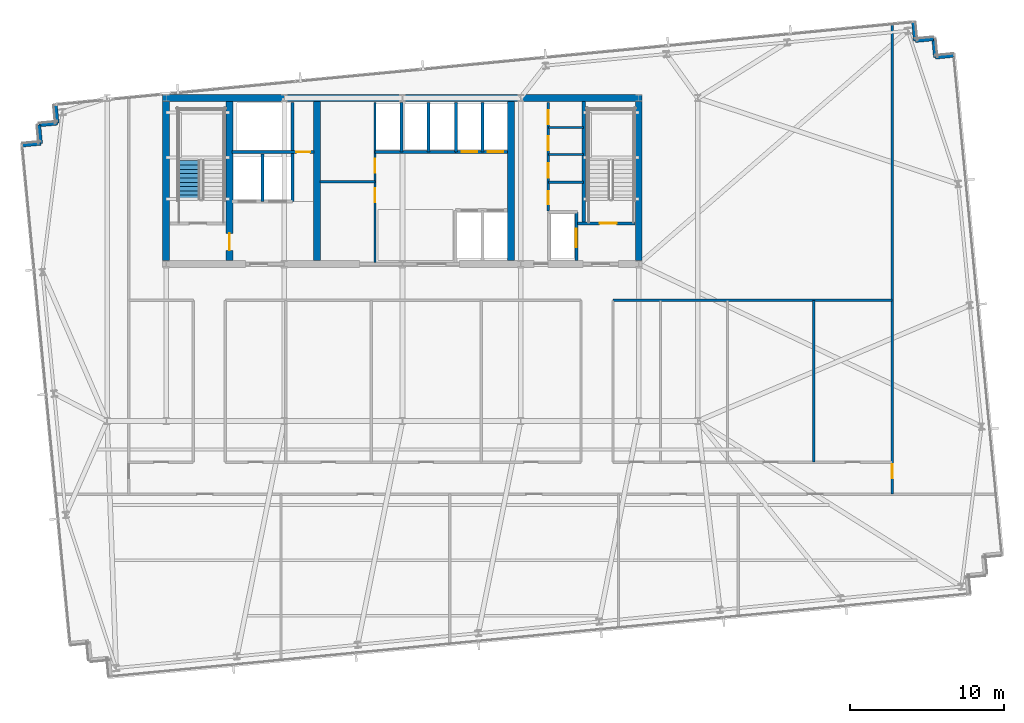
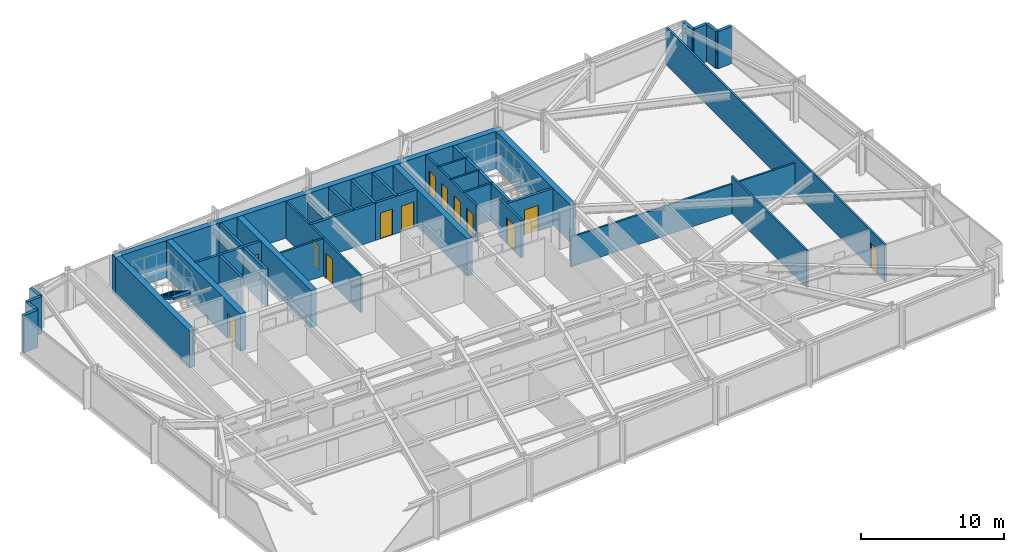
# One storey, part 26 of 33: 35 walls, 13 doors, 1 stair flight, 13 openings, 1 element without a shape of its own.
"""IFC4 building model written with IfcOpenShell, lengths in metres."""

import ifcopenshell
import ifcopenshell.guid

model = None  # the IFC model being written
_history = None  # IfcOwnerHistory: only IFC2X3 demands one
_inside = {}  # id of a spatial element -> (the spatial element, [elements in it])
_under = {}  # id of a project, library or spatial element -> (it, [spatial elements below it])
_declared = {}  # id of a project -> (the project, [libraries it declares])
_typed = {}  # id of a type object -> (the type object, [elements of that type])
_made_of = {}  # id of a material, layer set ... -> (it, [elements and type objects made of it])


def new_model(schema):
    """Start an empty IFC model of exactly this schema.

    Asked for "IFC4X3", IfcOpenShell would pick the latest addendum, in which some entities
    have other attributes; the version numbers below select the first issue.
    IFC2X3 requires an IfcOwnerHistory on every rooted entity: one is made here for all.
    """
    global model, _history
    if schema == "IFC4X3":
        model = ifcopenshell.file(schema_version=(4, 3, 0, 0))
    else:
        model = ifcopenshell.file(schema=schema)
    _inside.clear()
    _under.clear()
    _declared.clear()
    _typed.clear()
    _made_of.clear()
    _history = None
    if model.schema == "IFC2X3":
        org = make("IfcOrganization", Name="unknown")
        user = make(
            "IfcPersonAndOrganization",
            ThePerson=make("IfcPerson", FamilyName="unknown"),
            TheOrganization=org,
        )
        app = make(
            "IfcApplication",
            ApplicationDeveloper=org,
            Version="unknown",
            ApplicationFullName="unknown",
            ApplicationIdentifier="unknown",
        )
        _history = make(
            "IfcOwnerHistory",
            OwningUser=user,
            OwningApplication=app,
            ChangeAction="ADDED",
            CreationDate=0,
        )
    return model


def make(cls, **values):
    """One entity of the class cls with the attributes given. An attribute that is None is left unset."""
    return model.create_entity(
        cls, **{name: value for name, value in values.items() if value is not None}
    )


def rooted(cls, **values):
    """An entity with a GlobalId (a new one), such as an element, a storey or a relation."""
    return make(cls, GlobalId=ifcopenshell.guid.new(), OwnerHistory=_history, **values)


def si_unit(unit_type, name, prefix=None):
    """IfcSIUnit, for example si_unit("LENGTHUNIT", "METRE", prefix="MILLI")."""
    return make("IfcSIUnit", UnitType=unit_type, Prefix=prefix, Name=name)


def assignment(units):
    """IfcUnitAssignment: the units of a project."""
    return None if units is None else make("IfcUnitAssignment", Units=units)


def point(xyz):
    """IfcCartesianPoint."""
    return None if xyz is None else make("IfcCartesianPoint", Coordinates=xyz)


def direction(xyz):
    """IfcDirection."""
    return None if xyz is None else make("IfcDirection", DirectionRatios=xyz)


def frame(location, z_axis=None, x_axis=None):
    """IfcAxis2Placement3D, a coordinate frame: its origin and axes. An axis left out is left unset."""
    return make(
        "IfcAxis2Placement3D",
        Location=point(location),
        Axis=direction(z_axis),
        RefDirection=direction(x_axis),
    )


def frame_2d(location, x_axis=None):
    """IfcAxis2Placement2D, a coordinate frame in the plane: its origin and x axis."""
    return make(
        "IfcAxis2Placement2D", Location=point(location), RefDirection=direction(x_axis)
    )


def origin():
    """The frame at (0, 0, 0) with its axes left unset."""
    return frame((0.0, 0.0, 0.0))


def place(relative_to, where):
    """IfcLocalPlacement: puts the frame where relative to a parent placement (None: the world)."""
    return make(
        "IfcLocalPlacement", PlacementRelTo=relative_to, RelativePlacement=where
    )


def context(
    kind, dimensions, precision=None, world=None, true_north=None, identifier=None
):
    """IfcGeometricRepresentationContext, for example the 3D "Model" context."""
    return make(
        "IfcGeometricRepresentationContext",
        ContextIdentifier=identifier,
        ContextType=kind,
        CoordinateSpaceDimension=dimensions,
        Precision=precision,
        WorldCoordinateSystem=world,
        TrueNorth=true_north,
    )


def subcontext(parent, identifier, kind, view, scale=None):
    """IfcGeometricRepresentationSubContext, for example "Body" below "Model"."""
    return make(
        "IfcGeometricRepresentationSubContext",
        ContextIdentifier=identifier,
        ContextType=kind,
        ParentContext=parent,
        TargetScale=scale,
        TargetView=view,
    )


def project(units=None, contexts=None):
    """IfcProject with its units and contexts."""
    return rooted(
        "IfcProject",
        Name="project",
        RepresentationContexts=contexts,
        UnitsInContext=assignment(units),
    )


def spatial(cls, under=None, at=None, **own):
    """A site, building, storey or space (cls), placed at a placement, below another one or the project."""
    s = rooted(cls, ObjectPlacement=at, **own)
    if under is not None:
        _under.setdefault(under.id(), (under, []))[1].append(s)
    return s


def polyline(points):
    """IfcPolyline through the points."""
    return make("IfcPolyline", Points=[point(p) for p in points])


def profile(cls, at=None, kind="AREA", **sizes):
    """A parametric profile (cls). Its sizes go by their IFC names, for example OverallWidth=200.0."""
    return make(cls, ProfileType=kind, Position=at, **sizes)


def rectangle(**sizes):
    """IfcRectangleProfileDef."""
    return profile("IfcRectangleProfileDef", **sizes)


def outline(outer, holes=None, kind="AREA"):
    """IfcArbitraryClosedProfileDef: a profile drawn as a closed curve; with holes, ...WithVoids."""
    if holes is None:
        return make("IfcArbitraryClosedProfileDef", ProfileType=kind, OuterCurve=outer)
    return make(
        "IfcArbitraryProfileDefWithVoids",
        ProfileType=kind,
        OuterCurve=outer,
        InnerCurves=holes,
    )


def extrude(swept, where, along, depth):
    """IfcExtrudedAreaSolid: the profile swept, set in the frame where, extruded along a direction by depth."""
    return make(
        "IfcExtrudedAreaSolid",
        SweptArea=swept,
        Position=where,
        ExtrudedDirection=direction(along),
        Depth=depth,
    )


def shape(context_of_items, identifier, shape_type, items):
    """IfcShapeRepresentation: the items that make up one representation, for example the "Body"."""
    return make(
        "IfcShapeRepresentation",
        ContextOfItems=context_of_items,
        RepresentationIdentifier=identifier,
        RepresentationType=shape_type,
        Items=items,
    )


def material(Name=None, Category=None):
    """IfcMaterial."""
    return make("IfcMaterial", Name=Name, Category=Category)


def layer(
    of_material, thickness, ventilated=None, Name=None, Category=None, Priority=None
):
    """IfcMaterialLayer: one layer of a wall or slab, of a material (None: an air gap)."""
    return make(
        "IfcMaterialLayer",
        Material=of_material,
        LayerThickness=thickness,
        IsVentilated=ventilated,
        Name=Name,
        Category=Category,
        Priority=Priority,
    )


def layer_set(layers, Name=None):
    """IfcMaterialLayerSet."""
    return make("IfcMaterialLayerSet", MaterialLayers=layers, LayerSetName=Name)


def made_of(thing, what):
    """Note that an element or type object is made of a material, layer set ...; save() writes the relation."""
    if what is not None:
        _made_of.setdefault(what.id(), (what, []))[1].append(thing)
    return thing


def type_object(cls, material=None, **own):
    """A type object (cls), such as IfcWallType, which elements share."""
    return made_of(rooted(cls, **own), material)


def element(
    cls,
    number,
    at=None,
    inside=None,
    cuts=None,
    type_object=None,
    material=None,
    context=None,
    identifier="Body",
    shape_type=None,
    held_by="IfcProductDefinitionShape",
    body=None,
    shapes=None,
    **own,
):
    """One element of the class cls, such as IfcWall. Its Tag is "e" and its number.

    at: its placement. inside: the storey or other place that contains it. cuts: it is an
    opening in that element (IfcRelVoidsElement). A single representation is given by context,
    identifier, shape_type and body (its items); several are given by shapes. held_by: the class
    of the entity that holds the representations. save() writes the other relations.
    """
    e = rooted(cls, Tag="e%d" % number, ObjectPlacement=at, **own)
    if body is not None:
        shapes = [shape(context, identifier, shape_type, body)]
    if shapes is not None:
        e.Representation = make(held_by, Representations=shapes)
    if inside is not None:
        _inside.setdefault(inside.id(), (inside, []))[1].append(e)
    if cuts is not None:
        rooted(
            "IfcRelVoidsElement", RelatingBuildingElement=cuts, RelatedOpeningElement=e
        )
    if type_object is not None:
        _typed.setdefault(type_object.id(), (type_object, []))[1].append(e)
    return made_of(e, material)


def fill(opening, filler):
    """IfcRelFillsElement: the door or window that sits in an opening."""
    return rooted(
        "IfcRelFillsElement",
        RelatingOpeningElement=opening,
        RelatedBuildingElement=filler,
    )


def aggregate(whole, parts):
    """IfcRelAggregates: a whole, such as a stair, and the parts it consists of."""
    return rooted("IfcRelAggregates", RelatingObject=whole, RelatedObjects=parts)


def save(model, path):
    """Write the relations noted so far, then the file.

    IfcRelAggregates (storeys below a building ...), IfcRelContainedInSpatialStructure (elements
    in a storey), IfcRelDefinesByType, IfcRelAssociatesMaterial and IfcRelDeclares: one each for
    every whole, place, type object, material and project.
    """
    for whole, parts in _under.values():
        aggregate(whole, parts)
    for where, things in _inside.values():
        rooted(
            "IfcRelContainedInSpatialStructure",
            RelatedElements=things,
            RelatingStructure=where,
        )
    for kind, things in _typed.values():
        rooted("IfcRelDefinesByType", RelatedObjects=things, RelatingType=kind)
    for what, things in _made_of.values():
        rooted("IfcRelAssociatesMaterial", RelatedObjects=things, RelatingMaterial=what)
    for by, libraries in _declared.values():
        rooted("IfcRelDeclares", RelatingContext=by, RelatedDefinitions=libraries)
    model.write(path)


model = new_model("IFC4")

# Units and contexts
model_context = context("Model", 3, precision=1e-05, world=origin(), true_north=direction((0.0, 1.0)))
body_context = subcontext(model_context, "Body", "Model", "MODEL_VIEW")
ifc_project = project(units=[si_unit("LENGTHUNIT", "METRE"), si_unit("AREAUNIT", "SQUARE_METRE"), si_unit("VOLUMEUNIT", "CUBIC_METRE"), si_unit("PLANEANGLEUNIT", "RADIAN"), si_unit("MASSUNIT", "GRAM", prefix="KILO")], contexts=[model_context])

# Site, building, storey
site_placement = place(None, origin())
site = spatial("IfcSite", under=ifc_project, at=site_placement, CompositionType="ELEMENT")
building_placement = place(site_placement, origin())
building = spatial("IfcBuilding", under=site, at=building_placement, Name="Yelkora Congress Tower", CompositionType="ELEMENT")
storey_placement = place(building_placement, frame((0.0, 0.0, 123.699951171875)))
storey = spatial("IfcBuildingStorey", under=building, at=storey_placement, Name="L33", CompositionType="ELEMENT", Elevation=123.699951171875)

# Walls
ifc_material_1 = material(Name="Concrete C50/60", Category="concrete")
ifc_layer_1 = layer(ifc_material_1, 0.219970703125)
ifc_layer_set_1 = layer_set([ifc_layer_1], Name="Concrete C50/60")
wall_type_1 = type_object("IfcWallType", Name="WALL-CORE-INT-220", PredefinedType="SHEAR", material=ifc_layer_set_1)
wall_1_placement = place(storey_placement, frame((50.179931640625, 38.050048828125, 0.0), z_axis=(0.0, 0.0, 1.0), x_axis=(0.0, 1.0, 0.0)))
element("IfcWall", 1, at=wall_1_placement, inside=storey, type_object=wall_type_1, Name="L33 ST02 West Stair Shear Wall", PredefinedType="SHEAR", context=body_context, shape_type="SweptSolid", body=[
    extrude(rectangle(XDim=7.925048828125, YDim=0.219970703125, at=frame_2d((3.96240234375, 0.0))), origin(), (0.0, 0.0, 1.0), 3.179931640625),
])
ifc_material_2 = material(Name="Concrete C60/75", Category="concrete")
ifc_layer_2 = layer(ifc_material_2, 0.449951171875)
ifc_layer_set_2 = layer_set([ifc_layer_2], Name="Concrete C60/75")
wall_type_2 = type_object("IfcWallType", Name="WALL-CORE-INT-450", PredefinedType="SHEAR", material=ifc_layer_set_2)
wall_2_placement = place(storey_placement, frame((22.81494140625, 46.199951171875, 0.0), z_axis=(0.0, 0.0, 1.0), x_axis=(1.0, 0.0, 0.0)))
element("IfcWall", 2, at=wall_2_placement, inside=storey, type_object=wall_type_2, Name="L33 Rear Core North Shear Wall", PredefinedType="SHEAR", context=body_context, shape_type="SweptSolid", body=[
    extrude(rectangle(XDim=31.170166015625, YDim=0.449951171875, at=frame_2d((15.5849609375, 0.0))), origin(), (0.0, 0.0, 1.0), 3.179931640625),
])
wall_3_placement = place(storey_placement, frame((23.0400390625, 35.625, 0.0), z_axis=(0.0, 0.0, 1.0), x_axis=(0.0, 1.0, 0.0)))
element("IfcWall", 3, at=wall_3_placement, inside=storey, type_object=wall_type_2, Name="L33 Rear Core Cross Shear Wall W", PredefinedType="SHEAR", context=body_context, shape_type="SweptSolid", body=[
    extrude(rectangle(XDim=10.35009765625, YDim=0.449951171875, at=frame_2d((5.175048828125, 0.0))), origin(), (0.0, 0.0, 1.0), 3.179931640625),
])

# Wall, opening, door
wall_4_placement = place(storey_placement, frame((27.14990234375, 35.625, 0.0), z_axis=(0.0, 0.0, 1.0), x_axis=(0.0, 1.0, 0.0)))
wall_4 = element("IfcWall", 4, at=wall_4_placement, inside=storey, type_object=wall_type_2, Name="L33 Rear Core Cross Shear Wall C1", PredefinedType="SHEAR", context=body_context, shape_type="SweptSolid", body=[
    extrude(rectangle(XDim=10.35009765625, YDim=0.449951171875, at=frame_2d((5.175048828125, 0.0))), origin(), (0.0, 0.0, 1.0), 3.179931640625),
])
opening_1_placement = place(wall_4_placement, frame((0.675048828125, 0.0, 0.0)))
opening_1 = element("IfcOpeningElement", 5, at=opening_1_placement, cuts=wall_4, Name="Opening DR-110F9", PredefinedType="OPENING", context=body_context, shape_type="SweptSolid", body=[
    extrude(rectangle(XDim=1.10009765625, YDim=2.14990234375, at=frame_2d((0.550048828125, 1.074951171875))), frame((0.0, 0.23486328125, 0.0), z_axis=(0.0, -1.0, 0.0), x_axis=(1.0, 0.0, 0.0)), (0.0, 0.0, 1.0), 0.469970703125),
])
ifc_material_3 = material(Name="Galvanised steel fire door leaf", Category="steel")
door_type_1 = type_object("IfcDoorType", Name="DOOR-FD90-1100", OperationType="NOTDEFINED", PredefinedType="DOOR", material=ifc_material_3)
door_1_placement = place(opening_1_placement, origin())
door_1 = element("IfcDoor", 6, at=door_1_placement, inside=storey, type_object=door_type_1, Name="L33 Firefighting Stair Transfer Door", OperationType="SINGLE_SWING_LEFT", OverallHeight=2.14990234375, OverallWidth=1.10009765625, PredefinedType="DOOR", context=body_context, shape_type="SweptSolid", body=[
    extrude(rectangle(XDim=1.10009765625, YDim=2.14990234375, at=frame_2d((0.550048828125, 1.074951171875))), frame((0.0, 0.02490234375, 0.0), z_axis=(0.0, -1.0, 0.0), x_axis=(1.0, 0.0, 0.0)), (0.0, 0.0, 1.0), 0.050048828125),
])
fill(opening_1, door_1)

# Walls
for number, where, z_axis, x_axis, name in (
    (7, (32.85009765625, 35.625, 0.0), (0.0, 0.0, 1.0), (0.0, 1.0, 0.0), "L33 Rear Core Cross Shear Wall C2"),
    (8, (45.449951171875, 35.625, 0.0), (0.0, 0.0, 1.0), (0.0, 1.0, 0.0), "L33 Rear Core Cross Shear Wall C3"),
    (9, (53.760009765625, 35.625, 0.0), (0.0, 0.0, 1.0), (0.0, 1.0, 0.0), "L33 Rear Core Cross Shear Wall E"),
):
    element("IfcWall", number, at=place(storey_placement, frame(where, z_axis=z_axis, x_axis=x_axis)), inside=storey, type_object=wall_type_2, Name=name, PredefinedType="SHEAR", context=body_context, shape_type="SweptSolid", body=[
        extrude(rectangle(XDim=10.35009765625, YDim=0.449951171875, at=frame_2d((5.175048828125, 0.0))), origin(), (0.0, 0.0, 1.0), 3.179931640625),
    ])
ifc_material_4 = material(Name="Concrete C40/50", Category="concrete")
ifc_layer_3 = layer(ifc_material_4, 0.239990234375)
ifc_layer_set_3 = layer_set([ifc_layer_3], Name="Concrete C40/50")
wall_type_3 = type_object("IfcWallType", Name="WALL-EXT-LIMESTONE-240", PredefinedType="SOLIDWALL", material=ifc_layer_set_3)
for number, where, z_axis, x_axis, name in (
    (10, (13.69091796875, 43.126708984375, 0.0), (0.0, 0.0, 1.0), (0.995398960025, 0.095817067274, 0.0), "L33 Serrated Corner Limestone Pier 6"),
    (11, (14.885498046875, 43.24169921875, 0.0), (0.0, 0.0, 1.0), (-0.095817067274, 0.995398960025, 0.0), "L33 Serrated Corner Limestone Pier 7"),
):
    element("IfcWall", number, at=place(storey_placement, frame(where, z_axis=z_axis, x_axis=x_axis)), inside=storey, type_object=wall_type_3, Name=name, PredefinedType="SOLIDWALL", context=body_context, shape_type="SweptSolid", body=[
        extrude(rectangle(XDim=1.2001953125, YDim=0.239990234375, at=frame_2d((0.60009765625, 0.0))), origin(), (0.0, 0.0, 1.0), 3.179931640625),
    ])
for number, where, z_axis, x_axis, name in (
    (12, (14.7705078125, 44.436279296875, 0.0), (0.0, 0.0, 1.0), (0.995397091755, 0.095836473879, 0.0), "L33 Serrated Corner Limestone Pier 8"),
    (13, (15.96484375, 44.55126953125, 0.0), (0.0, 0.0, 1.0), (-0.095836473879, 0.995397091755, 0.0), "L33 Serrated Corner Limestone Pier 9"),
):
    element("IfcWall", number, at=place(storey_placement, frame(where, z_axis=z_axis, x_axis=x_axis)), inside=storey, type_object=wall_type_3, Name=name, PredefinedType="SOLIDWALL", context=body_context, shape_type="SweptSolid", body=[
        extrude(rectangle(XDim=1.199951171875, YDim=0.239990234375, at=frame_2d((0.60009765625, 0.0))), origin(), (0.0, 0.0, 1.0), 3.179931640625),
    ])
for number, where, z_axis, x_axis, name in (
    (14, (71.61181640625, 51.114990234375, 0.0), (0.0, 0.0, 1.0), (0.095817067274, -0.995398960025, 0.0), "L33 Serrated Corner Limestone Pier 11"),
    (15, (71.726806640625, 49.92041015625, 0.0), (0.0, 0.0, 1.0), (0.995398960025, 0.095817067274, 0.0), "L33 Serrated Corner Limestone Pier 12"),
    (16, (72.92138671875, 50.035400390625, 0.0), (0.0, 0.0, 1.0), (0.095817067274, -0.995398960025, 0.0), "L33 Serrated Corner Limestone Pier 13"),
    (17, (73.036376953125, 48.8408203125, 0.0), (0.0, 0.0, 1.0), (0.995379537303, 0.096018626938, 0.0), "L33 Serrated Corner Limestone Pier 14"),
):
    element("IfcWall", number, at=place(storey_placement, frame(where, z_axis=z_axis, x_axis=x_axis)), inside=storey, type_object=wall_type_3, Name=name, PredefinedType="SOLIDWALL", context=body_context, shape_type="SweptSolid", body=[
        extrude(rectangle(XDim=1.2001953125, YDim=0.239990234375, at=frame_2d((0.60009765625, 0.0))), origin(), (0.0, 0.0, 1.0), 3.179931640625),
    ])
ifc_material_5 = material(Name="Acoustic metal-stud gypsum partition", Category="gypsum")
ifc_layer_4 = layer(ifc_material_5, 0.14990234375)
ifc_layer_set_4 = layer_set([ifc_layer_4], Name="Acoustic metal-stud gypsum partition")
wall_type_4 = type_object("IfcWallType", Name="WALL-INT-150-NR", PredefinedType="PARTITIONING", material=ifc_layer_set_4)
for number, where, z_axis, x_axis, name in (
    (18, (47.8798828125, 40.719970703125, 0.0), (0.0, 0.0, 1.0), (1.0, 0.0, 0.0), "L33 Partition Wall 24"),
    (19, (47.8798828125, 42.52001953125, 0.0), (0.0, 0.0, 1.0), (1.0, 0.0, 0.0), "L33 Partition Wall 25"),
    (20, (47.8798828125, 44.280029296875, 0.0), (0.0, 0.0, 1.0), (1.0, 0.0, 0.0), "L33 Partition Wall 26"),
):
    element("IfcWall", number, at=place(storey_placement, frame(where, z_axis=z_axis, x_axis=x_axis)), inside=storey, type_object=wall_type_4, Name=name, PredefinedType="PARTITIONING", context=body_context, shape_type="SweptSolid", body=[
        extrude(rectangle(XDim=2.300048828125, YDim=0.14990234375, at=frame_2d((1.14990234375, 0.0))), origin(), (0.0, 0.0, 1.0), 3.179931640625),
    ])

# Wall, openings, doors
wall_5_placement = place(storey_placement, frame((47.8798828125, 38.85009765625, 0.0), z_axis=(0.0, 0.0, 1.0), x_axis=(0.0, 1.0, 0.0)))
wall_5 = element("IfcWall", 21, at=wall_5_placement, inside=storey, type_object=wall_type_4, Name="L33 Partition Wall 27", PredefinedType="PARTITIONING", context=body_context, shape_type="SweptSolid", body=[
    extrude(rectangle(XDim=7.06982421875, YDim=0.14990234375, at=frame_2d((3.534912109375, 0.0))), origin(), (0.0, 0.0, 1.0), 3.179931640625),
])
opening_2_placement = place(wall_5_placement, frame((0.449951171875, 0.0, 0.0)))
opening_2 = element("IfcOpeningElement", 22, at=opening_2_placement, cuts=wall_5, Name="Opening DR-085N", PredefinedType="OPENING", context=body_context, shape_type="SweptSolid", body=[
    extrude(rectangle(XDim=0.85009765625, YDim=2.14990234375, at=frame_2d((0.425048828125, 1.074951171875))), frame((0.0, 0.0849609375, 0.0), z_axis=(0.0, -1.0, 0.0), x_axis=(1.0, 0.0, 0.0)), (0.0, 0.0, 1.0), 0.169921875),
])
opening_3_placement = place(wall_5_placement, frame((2.14990234375, 0.0, 0.0)))
opening_3 = element("IfcOpeningElement", 23, at=opening_3_placement, cuts=wall_5, Name="Opening DR-095N", PredefinedType="OPENING", context=body_context, shape_type="SweptSolid", body=[
    extrude(rectangle(XDim=0.949951171875, YDim=2.14990234375, at=frame_2d((0.47509765625, 1.074951171875))), frame((0.0, 0.0849609375, 0.0), z_axis=(0.0, -1.0, 0.0), x_axis=(1.0, 0.0, 0.0)), (0.0, 0.0, 1.0), 0.169921875),
])
opening_4_placement = place(wall_5_placement, frame((3.949951171875, 0.0, 0.0)))
opening_4 = element("IfcOpeningElement", 24, at=opening_4_placement, cuts=wall_5, Name="Opening DR-090N", PredefinedType="OPENING", context=body_context, shape_type="SweptSolid", body=[
    extrude(rectangle(XDim=0.89990234375, YDim=2.14990234375, at=frame_2d((0.449951171875, 1.074951171875))), frame((0.0, 0.0849609375, 0.0), z_axis=(0.0, -1.0, 0.0), x_axis=(1.0, 0.0, 0.0)), (0.0, 0.0, 1.0), 0.169921875),
])
opening_5_placement = place(wall_5_placement, frame((5.64990234375, 0.0, 0.0)))
opening_5 = element("IfcOpeningElement", 25, at=opening_5_placement, cuts=wall_5, Name="Opening DR-090N", PredefinedType="OPENING", context=body_context, shape_type="SweptSolid", body=[
    extrude(rectangle(XDim=0.89990234375, YDim=2.14990234375, at=frame_2d((0.449951171875, 1.074951171875))), frame((0.0, 0.0849609375, 0.0), z_axis=(0.0, -1.0, 0.0), x_axis=(1.0, 0.0, 0.0)), (0.0, 0.0, 1.0), 0.169921875),
])
ifc_material_6 = material(Name="Laminate service store door leaf", Category="wood")
door_type_2 = type_object("IfcDoorType", Name="DOOR-INT-850", OperationType="NOTDEFINED", PredefinedType="DOOR", material=ifc_material_6)
door_2_placement = place(opening_2_placement, origin())
door_2 = element("IfcDoor", 26, at=door_2_placement, inside=storey, type_object=door_type_2, Name="L33 Janitor Room Door", OperationType="SINGLE_SWING_RIGHT", OverallHeight=2.14990234375, OverallWidth=0.85009765625, PredefinedType="DOOR", context=body_context, shape_type="SweptSolid", body=[
    extrude(rectangle(XDim=0.85009765625, YDim=2.14990234375, at=frame_2d((0.425048828125, 1.074951171875))), frame((0.0, 0.02490234375, 0.0), z_axis=(0.0, -1.0, 0.0), x_axis=(1.0, 0.0, 0.0)), (0.0, 0.0, 1.0), 0.050048828125),
])
fill(opening_2, door_2)
ifc_material_7 = material(Name="Moisture-resistant laminate door leaf", Category="wood")
door_type_3 = type_object("IfcDoorType", Name="DOOR-INT-900", OperationType="NOTDEFINED", PredefinedType="DOOR", material=ifc_material_7)
door_3_placement = place(opening_4_placement, origin())
door_3 = element("IfcDoor", 27, at=door_3_placement, inside=storey, type_object=door_type_3, Name="L33 Male WC Door", OperationType="SINGLE_SWING_RIGHT", OverallHeight=2.14990234375, OverallWidth=0.89990234375, PredefinedType="DOOR", context=body_context, shape_type="SweptSolid", body=[
    extrude(rectangle(XDim=0.89990234375, YDim=2.14990234375, at=frame_2d((0.449951171875, 1.074951171875))), frame((0.0, 0.02490234375, 0.0), z_axis=(0.0, -1.0, 0.0), x_axis=(1.0, 0.0, 0.0)), (0.0, 0.0, 1.0), 0.050048828125),
])
fill(opening_4, door_3)
door_4_placement = place(opening_5_placement, origin())
door_4 = element("IfcDoor", 28, at=door_4_placement, inside=storey, type_object=door_type_3, Name="L33 Female WC Door", OperationType="SINGLE_SWING_LEFT", OverallHeight=2.14990234375, OverallWidth=0.89990234375, PredefinedType="DOOR", context=body_context, shape_type="SweptSolid", body=[
    extrude(rectangle(XDim=0.89990234375, YDim=2.14990234375, at=frame_2d((0.449951171875, 1.074951171875))), frame((0.0, 0.02490234375, 0.0), z_axis=(0.0, -1.0, 0.0), x_axis=(1.0, 0.0, 0.0)), (0.0, 0.0, 1.0), 0.050048828125),
])
fill(opening_5, door_4)
ifc_material_8 = material(Name="Acoustic laminated timber office door", Category="wood")
door_type_4 = type_object("IfcDoorType", Name="DOOR-INT-950", OperationType="NOTDEFINED", PredefinedType="DOOR", material=ifc_material_8)
door_5_placement = place(opening_3_placement, origin())
door_5 = element("IfcDoor", 29, at=door_5_placement, inside=storey, type_object=door_type_4, Name="L33 Accessible WC Door", OperationType="SINGLE_SWING_LEFT", OverallHeight=2.14990234375, OverallWidth=0.949951171875, PredefinedType="DOOR", context=body_context, shape_type="SweptSolid", body=[
    extrude(rectangle(XDim=0.949951171875, YDim=2.14990234375, at=frame_2d((0.47509765625, 1.074951171875))), frame((0.0, 0.02490234375, 0.0), z_axis=(0.0, -1.0, 0.0), x_axis=(1.0, 0.0, 0.0)), (0.0, 0.0, 1.0), 0.050048828125),
])
fill(opening_3, door_5)

# Wall, opening, door
wall_6_placement = place(storey_placement, frame((70.236083984375, 20.449951171875, 0.0), z_axis=(0.0, 0.0, 1.0), x_axis=(0.0, 1.0, 0.0)))
wall_6 = element("IfcWall", 30, at=wall_6_placement, inside=storey, type_object=wall_type_4, Name="L33 Partition Wall 34", PredefinedType="PARTITIONING", context=body_context, shape_type="SweptSolid", body=[
    extrude(rectangle(XDim=30.5927734375, YDim=0.14990234375, at=frame_2d((15.29638671875, 0.0))), origin(), (0.0, 0.0, 1.0), 3.179931640625),
])
opening_6_placement = place(wall_6_placement, frame((1.030029296875, 0.0, 0.0)))
opening_6 = element("IfcOpeningElement", 31, at=opening_6_placement, cuts=wall_6, Name="Opening DR-090N", PredefinedType="OPENING", context=body_context, shape_type="SweptSolid", body=[
    extrude(rectangle(XDim=0.89990234375, YDim=2.14990234375, at=frame_2d((0.449951171875, 1.074951171875))), frame((0.0, 0.0849609375, 0.0), z_axis=(0.0, -1.0, 0.0), x_axis=(1.0, 0.0, 0.0)), (0.0, 0.0, 1.0), 0.169921875),
])
door_6_placement = place(opening_6_placement, origin())
door_6 = element("IfcDoor", 32, at=door_6_placement, inside=storey, type_object=door_type_3, Name="L33 E Wing Door", OperationType="SINGLE_SWING_RIGHT", OverallHeight=2.14990234375, OverallWidth=0.89990234375, PredefinedType="DOOR", context=body_context, shape_type="SweptSolid", body=[
    extrude(rectangle(XDim=0.89990234375, YDim=2.14990234375, at=frame_2d((0.449951171875, 1.074951171875))), frame((0.0, 0.02490234375, 0.0), z_axis=(0.0, -1.0, 0.0), x_axis=(1.0, 0.0, 0.0)), (0.0, 0.0, 1.0), 0.050048828125),
])
fill(opening_6, door_6)

# Walls
wall_7_placement = place(storey_placement, frame((52.080078125, 33.050048828125, 0.0), z_axis=(0.0, 0.0, 1.0), x_axis=(1.0, 0.0, 0.0)))
element("IfcWall", 33, at=wall_7_placement, inside=storey, type_object=wall_type_4, Name="L33 Partition Wall 41", PredefinedType="PARTITIONING", context=body_context, shape_type="SweptSolid", body=[
    extrude(rectangle(XDim=18.156005859375, YDim=0.14990234375, at=frame_2d((9.078125, 0.0))), origin(), (0.0, 0.0, 1.0), 2.525146484375),
])
wall_8_placement = place(storey_placement, frame((65.14111328125, 22.530029296875, 0.0), z_axis=(0.0, 0.0, 1.0), x_axis=(0.0, 1.0, 0.0)))
element("IfcWall", 34, at=wall_8_placement, inside=storey, type_object=wall_type_4, Name="L33 Partition Wall 49", PredefinedType="PARTITIONING", context=body_context, shape_type="SweptSolid", body=[
    extrude(rectangle(XDim=10.52001953125, YDim=0.14990234375, at=frame_2d((5.260009765625, 0.0))), origin(), (0.0, 0.0, 1.0), 3.179931640625),
])
ifc_material_9 = material(Name="Twin-stud fire-rated gypsum partition", Category="gypsum")
ifc_layer_5 = layer(ifc_material_9, 0.14990234375)
ifc_layer_set_5 = layer_set([ifc_layer_5], Name="Twin-stud fire-rated gypsum partition")
wall_type_5 = type_object("IfcWallType", Name="WALL-INT-150-R60", PredefinedType="PARTITIONING", material=ifc_layer_set_5)
wall_9_placement = place(storey_placement, frame((33.050048828125, 40.75, 0.0), z_axis=(0.0, 0.0, 1.0), x_axis=(1.0, 0.0, 0.0)))
element("IfcWall", 35, at=wall_9_placement, inside=storey, type_object=wall_type_5, Name="L33 Partition Wall 11", PredefinedType="PARTITIONING", context=body_context, shape_type="SweptSolid", body=[
    extrude(rectangle(XDim=3.570068359375, YDim=0.14990234375, at=frame_2d((1.78515625, 0.0))), origin(), (0.0, 0.0, 1.0), 3.179931640625),
])

# Wall, openings, doors
wall_10_placement = place(storey_placement, frame((36.6201171875, 35.5, 0.0), z_axis=(0.0, 0.0, 1.0), x_axis=(0.0, 1.0, 0.0)))
wall_10 = element("IfcWall", 36, at=wall_10_placement, inside=storey, type_object=wall_type_5, Name="L33 Partition Wall 12", PredefinedType="PARTITIONING", context=body_context, shape_type="SweptSolid", body=[
    extrude(rectangle(XDim=10.419921875, YDim=0.14990234375, at=frame_2d((5.2099609375, 0.0))), origin(), (0.0, 0.0, 1.0), 3.179931640625),
])
opening_7_placement = place(wall_10_placement, frame((3.919921875, 0.0, 0.0)))
opening_7 = element("IfcOpeningElement", 37, at=opening_7_placement, cuts=wall_10, Name="Opening DR-090F6", PredefinedType="OPENING", context=body_context, shape_type="SweptSolid", body=[
    extrude(rectangle(XDim=0.89990234375, YDim=2.14990234375, at=frame_2d((0.449951171875, 1.074951171875))), frame((0.0, 0.0849609375, 0.0), z_axis=(0.0, -1.0, 0.0), x_axis=(1.0, 0.0, 0.0)), (0.0, 0.0, 1.0), 0.169921875),
])
opening_8_placement = place(wall_10_placement, frame((5.85009765625, 0.0, 0.0)))
opening_8 = element("IfcOpeningElement", 38, at=opening_8_placement, cuts=wall_10, Name="Opening DR-090F6", PredefinedType="OPENING", context=body_context, shape_type="SweptSolid", body=[
    extrude(rectangle(XDim=0.89990234375, YDim=2.14990234375, at=frame_2d((0.449951171875, 1.074951171875))), frame((0.0, 0.0849609375, 0.0), z_axis=(0.0, -1.0, 0.0), x_axis=(1.0, 0.0, 0.0)), (0.0, 0.0, 1.0), 0.169921875),
])
ifc_material_10 = material(Name="Painted steel riser fire door leaf", Category="steel")
door_type_5 = type_object("IfcDoorType", Name="DOOR-FD60-900", OperationType="NOTDEFINED", PredefinedType="DOOR", material=ifc_material_10)
door_7_placement = place(opening_7_placement, origin())
door_7 = element("IfcDoor", 39, at=door_7_placement, inside=storey, type_object=door_type_5, Name="L33 Telecom Store Door", OperationType="SINGLE_SWING_LEFT", OverallHeight=2.14990234375, OverallWidth=0.89990234375, PredefinedType="DOOR", context=body_context, shape_type="SweptSolid", body=[
    extrude(rectangle(XDim=0.89990234375, YDim=2.14990234375, at=frame_2d((0.449951171875, 1.074951171875))), frame((0.0, 0.02490234375, 0.0), z_axis=(0.0, -1.0, 0.0), x_axis=(1.0, 0.0, 0.0)), (0.0, 0.0, 1.0), 0.050048828125),
])
fill(opening_7, door_7)
door_8_placement = place(opening_8_placement, origin())
door_8 = element("IfcDoor", 40, at=door_8_placement, inside=storey, type_object=door_type_5, Name="L33 Archive Store Door", OperationType="SINGLE_SWING_RIGHT", OverallHeight=2.14990234375, OverallWidth=0.89990234375, PredefinedType="DOOR", context=body_context, shape_type="SweptSolid", body=[
    extrude(rectangle(XDim=0.89990234375, YDim=2.14990234375, at=frame_2d((0.449951171875, 1.074951171875))), frame((0.0, 0.02490234375, 0.0), z_axis=(0.0, -1.0, 0.0), x_axis=(1.0, 0.0, 0.0)), (0.0, 0.0, 1.0), 0.050048828125),
])
fill(opening_8, door_8)

# Walls
ifc_material_11 = material(Name="Autoclaved aerated concrete blockwork", Category="masonry")
ifc_layer_6 = layer(ifc_material_11, 0.199951171875)
ifc_layer_set_6 = layer_set([ifc_layer_6], Name="Autoclaved aerated concrete blockwork")
wall_type_6 = type_object("IfcWallType", Name="WALL-INT-200-R120", PredefinedType="PARTITIONING", material=ifc_layer_set_6)
wall_11_placement = place(storey_placement, frame((29.300048828125, 39.47998046875, 0.0), z_axis=(0.0, 0.0, 1.0), x_axis=(0.0, 1.0, 0.0)))
element("IfcWall", 41, at=wall_11_placement, inside=storey, type_object=wall_type_6, Name="L33 Partition Wall 4", PredefinedType="PARTITIONING", context=body_context, shape_type="SweptSolid", body=[
    extrude(rectangle(XDim=3.070068359375, YDim=0.199951171875, at=frame_2d((1.53515625, 0.0))), origin(), (0.0, 0.0, 1.0), 3.179931640625),
])
wall_12_placement = place(storey_placement, frame((31.260009765625, 39.47998046875, 0.0), z_axis=(0.0, 0.0, 1.0), x_axis=(0.0, 1.0, 0.0)))
element("IfcWall", 42, at=wall_12_placement, inside=storey, type_object=wall_type_6, Name="L33 Partition Wall 5", PredefinedType="PARTITIONING", context=body_context, shape_type="SweptSolid", body=[
    extrude(rectangle(XDim=6.43994140625, YDim=0.199951171875, at=frame_2d((3.219970703125, 0.0))), origin(), (0.0, 0.0, 1.0), 3.179931640625),
])

# Wall, opening, door
wall_13_placement = place(storey_placement, frame((27.320068359375, 42.679931640625, 0.0), z_axis=(0.0, 0.0, 1.0), x_axis=(1.0, 0.0, 0.0)))
wall_13 = element("IfcWall", 43, at=wall_13_placement, inside=storey, type_object=wall_type_6, Name="L33 Smoke Riser South Wall", PredefinedType="PARTITIONING", context=body_context, shape_type="SweptSolid", body=[
    extrude(rectangle(XDim=5.329833984375, YDim=0.199951171875, at=frame_2d((2.6650390625, 0.0))), origin(), (0.0, 0.0, 1.0), 3.179931640625),
])
opening_9_placement = place(wall_13_placement, frame((4.179931640625, 0.0, 0.0)))
opening_9 = element("IfcOpeningElement", 44, at=opening_9_placement, cuts=wall_13, Name="Opening DR-090F6", PredefinedType="OPENING", context=body_context, shape_type="SweptSolid", body=[
    extrude(rectangle(XDim=0.89990234375, YDim=2.14990234375, at=frame_2d((0.449951171875, 1.074951171875))), frame((0.0, 0.10986328125, 0.0), z_axis=(0.0, -1.0, 0.0), x_axis=(1.0, 0.0, 0.0)), (0.0, 0.0, 1.0), 0.219970703125),
])
door_9_placement = place(opening_9_placement, origin())
door_9 = element("IfcDoor", 45, at=door_9_placement, inside=storey, type_object=door_type_5, Name="L33 Riser Access Door", OperationType="SINGLE_SWING_LEFT", OverallHeight=2.14990234375, OverallWidth=0.89990234375, PredefinedType="DOOR", context=body_context, shape_type="SweptSolid", body=[
    extrude(rectangle(XDim=0.89990234375, YDim=2.14990234375, at=frame_2d((0.449951171875, 1.074951171875))), frame((0.0, 0.02490234375, 0.0), z_axis=(0.0, -1.0, 0.0), x_axis=(1.0, 0.0, 0.0)), (0.0, 0.0, 1.0), 0.050048828125),
])
fill(opening_9, door_9)

# Walls
wall_14_placement = place(storey_placement, frame((36.60009765625, 42.699951171875, 0.0), z_axis=(0.0, 0.0, 1.0), x_axis=(1.0, 0.0, 0.0)))
element("IfcWall", 46, at=wall_14_placement, inside=storey, type_object=wall_type_6, Name="L33 Partition Wall 8", PredefinedType="PARTITIONING", context=body_context, shape_type="SweptSolid", body=[
    extrude(rectangle(XDim=5.25, YDim=0.199951171875, at=frame_2d((2.625, 0.0))), origin(), (0.0, 0.0, 1.0), 3.179931640625),
])
wall_15_placement = place(storey_placement, frame((38.35009765625, 42.699951171875, 0.0), z_axis=(0.0, 0.0, 1.0), x_axis=(0.0, 1.0, 0.0)))
element("IfcWall", 47, at=wall_15_placement, inside=storey, type_object=wall_type_6, Name="L33 Partition Wall 9", PredefinedType="PARTITIONING", context=body_context, shape_type="SweptSolid", body=[
    extrude(rectangle(XDim=3.219970703125, YDim=0.199951171875, at=frame_2d((1.60986328125, 0.0))), origin(), (0.0, 0.0, 1.0), 2.525146484375),
])
wall_16_placement = place(storey_placement, frame((40.10009765625, 42.699951171875, 0.0), z_axis=(0.0, 0.0, 1.0), x_axis=(0.0, 1.0, 0.0)))
element("IfcWall", 48, at=wall_16_placement, inside=storey, type_object=wall_type_6, Name="L33 Partition Wall 10", PredefinedType="PARTITIONING", context=body_context, shape_type="SweptSolid", body=[
    extrude(rectangle(XDim=3.219970703125, YDim=0.199951171875, at=frame_2d((1.60986328125, 0.0))), origin(), (0.0, 0.0, 1.0), 3.179931640625),
])

# Wall, openings, doors
wall_17_placement = place(storey_placement, frame((41.85009765625, 42.699951171875, 0.0), z_axis=(0.0, 0.0, 1.0), x_axis=(1.0, 0.0, 0.0)))
wall_17 = element("IfcWall", 49, at=wall_17_placement, inside=storey, type_object=wall_type_6, Name="L33 Partition Wall 14", PredefinedType="PARTITIONING", context=body_context, shape_type="SweptSolid", body=[
    extrude(rectangle(XDim=3.369873046875, YDim=0.199951171875, at=frame_2d((1.68505859375, 0.0))), origin(), (0.0, 0.0, 1.0), 3.179931640625),
])
opening_10_placement = place(wall_17_placement, frame((0.39990234375, 0.0, 0.0)))
opening_10 = element("IfcOpeningElement", 50, at=opening_10_placement, cuts=wall_17, Name="Opening LD-PS10", PredefinedType="OPENING", context=body_context, shape_type="SweptSolid", body=[
    extrude(rectangle(XDim=1.0, YDim=2.199951171875, at=frame_2d((0.5, 1.10009765625))), frame((0.0, 0.10986328125, 0.0), z_axis=(0.0, -1.0, 0.0), x_axis=(1.0, 0.0, 0.0)), (0.0, 0.0, 1.0), 0.219970703125),
])
opening_11_placement = place(wall_17_placement, frame((2.10009765625, 0.0, 0.0)))
opening_11 = element("IfcOpeningElement", 51, at=opening_11_placement, cuts=wall_17, Name="Opening LD-PS10", PredefinedType="OPENING", context=body_context, shape_type="SweptSolid", body=[
    extrude(rectangle(XDim=1.0, YDim=2.199951171875, at=frame_2d((0.5, 1.10009765625))), frame((0.0, 0.10986328125, 0.0), z_axis=(0.0, -1.0, 0.0), x_axis=(1.0, 0.0, 0.0)), (0.0, 0.0, 1.0), 0.219970703125),
])
ifc_material_12 = material(Name="Champagne stainless steel landing door", Category="steel")
door_type_6 = type_object("IfcDoorType", Name="DOOR-LIFT-PAS-1000", OperationType="DOUBLE_DOOR_SLIDING", PredefinedType="DOOR", material=ifc_material_12)
door_10_placement = place(opening_10_placement, origin())
door_10 = element("IfcDoor", 52, at=door_10_placement, inside=storey, type_object=door_type_6, Name="Lift Landing Door LF-P7 L33", OperationType="DOUBLE_DOOR_SLIDING", OverallHeight=2.199951171875, OverallWidth=1.0, PredefinedType="DOOR", context=body_context, shape_type="SweptSolid", body=[
    extrude(rectangle(XDim=1.0, YDim=2.199951171875, at=frame_2d((0.5, 1.10009765625))), frame((0.0, 0.02490234375, 0.0), z_axis=(0.0, -1.0, 0.0), x_axis=(1.0, 0.0, 0.0)), (0.0, 0.0, 1.0), 0.050048828125),
])
fill(opening_10, door_10)
door_11_placement = place(opening_11_placement, origin())
door_11 = element("IfcDoor", 53, at=door_11_placement, inside=storey, type_object=door_type_6, Name="Lift Landing Door LF-P8 L33", OperationType="DOUBLE_DOOR_SLIDING", OverallHeight=2.199951171875, OverallWidth=1.0, PredefinedType="DOOR", context=body_context, shape_type="SweptSolid", body=[
    extrude(rectangle(XDim=1.0, YDim=2.199951171875, at=frame_2d((0.5, 1.10009765625))), frame((0.0, 0.02490234375, 0.0), z_axis=(0.0, -1.0, 0.0), x_axis=(1.0, 0.0, 0.0)), (0.0, 0.0, 1.0), 0.050048828125),
])
fill(opening_11, door_11)

# Walls
for number, where, z_axis, x_axis, name in (
    (54, (43.60009765625, 42.699951171875, 0.0), (0.0, 0.0, 1.0), (0.0, 1.0, 0.0), "L33 Partition Wall 16"),
    (55, (41.8798828125, 42.699951171875, 0.0), (0.0, 0.0, 1.0), (0.0, 1.0, 0.0), "L33 Partition Wall 18"),
):
    element("IfcWall", number, at=place(storey_placement, frame(where, z_axis=z_axis, x_axis=x_axis)), inside=storey, type_object=wall_type_6, Name=name, PredefinedType="PARTITIONING", context=body_context, shape_type="SweptSolid", body=[
        extrude(rectangle(XDim=3.219970703125, YDim=0.199951171875, at=frame_2d((1.60986328125, 0.0))), origin(), (0.0, 0.0, 1.0), 3.179931640625),
    ])

# Wall, opening, door
wall_18_placement = place(storey_placement, frame((49.780029296875, 38.050048828125, 0.0), z_axis=(0.0, 0.0, 1.0), x_axis=(1.0, 0.0, 0.0)))
wall_18 = element("IfcWall", 56, at=wall_18_placement, inside=storey, type_object=wall_type_6, Name="L33 Stair ST-02 Enclosure Wall", PredefinedType="PARTITIONING", context=body_context, shape_type="SweptSolid", body=[
    extrude(rectangle(XDim=3.719970703125, YDim=0.199951171875, at=frame_2d((1.85986328125, 0.0))), origin(), (0.0, 0.0, 1.0), 3.179931640625),
])
opening_12_placement = place(wall_18_placement, frame((1.436279296875, 0.0, 0.0)))
opening_12 = element("IfcOpeningElement", 57, at=opening_12_placement, cuts=wall_18, Name="Opening DR-110F9", PredefinedType="OPENING", context=body_context, shape_type="SweptSolid", body=[
    extrude(rectangle(XDim=1.10009765625, YDim=2.14990234375, at=frame_2d((0.550048828125, 1.074951171875))), frame((0.0, 0.10986328125, 0.0), z_axis=(0.0, -1.0, 0.0), x_axis=(1.0, 0.0, 0.0)), (0.0, 0.0, 1.0), 0.219970703125),
])
door_12_placement = place(opening_12_placement, origin())
door_12 = element("IfcDoor", 58, at=door_12_placement, inside=storey, type_object=door_type_1, Name="L33 Stair ST-02 Entry Door", OperationType="SINGLE_SWING_LEFT", OverallHeight=2.14990234375, OverallWidth=1.10009765625, PredefinedType="DOOR", context=body_context, shape_type="SweptSolid", body=[
    extrude(rectangle(XDim=1.10009765625, YDim=2.14990234375, at=frame_2d((0.550048828125, 1.074951171875))), frame((0.0, 0.02490234375, 0.0), z_axis=(0.0, -1.0, 0.0), x_axis=(1.0, 0.0, 0.0)), (0.0, 0.0, 1.0), 0.050048828125),
])
fill(opening_12, door_12)

wall_19_placement = place(storey_placement, frame((49.699951171875, 35.64990234375, 0.0), z_axis=(0.0, 0.0, 1.0), x_axis=(0.0, 1.0, 0.0)))
wall_19 = element("IfcWall", 59, at=wall_19_placement, inside=storey, type_object=wall_type_6, Name="L33 Partition Wall 21", PredefinedType="PARTITIONING", context=body_context, shape_type="SweptSolid", body=[
    extrude(rectangle(XDim=3.150146484375, YDim=0.199951171875, at=frame_2d((1.5751953125, 0.0))), origin(), (0.0, 0.0, 1.0), 3.179931640625),
])
opening_13_placement = place(wall_19_placement, frame((0.85009765625, 0.0, 0.0)))
opening_13 = element("IfcOpeningElement", 60, at=opening_13_placement, cuts=wall_19, Name="Opening LD-SV12", PredefinedType="OPENING", context=body_context, shape_type="SweptSolid", body=[
    extrude(rectangle(XDim=1.199951171875, YDim=2.199951171875, at=frame_2d((0.60009765625, 1.10009765625))), frame((0.0, 0.10986328125, 0.0), z_axis=(0.0, -1.0, 0.0), x_axis=(1.0, 0.0, 0.0)), (0.0, 0.0, 1.0), 0.219970703125),
])
ifc_material_13 = material(Name="Heavy-duty stainless steel landing door", Category="steel")
door_type_7 = type_object("IfcDoorType", Name="DOOR-LIFT-SRV-1200", OperationType="DOUBLE_DOOR_SLIDING", PredefinedType="DOOR", material=ifc_material_13)
door_13_placement = place(opening_13_placement, origin())
door_13 = element("IfcDoor", 61, at=door_13_placement, inside=storey, type_object=door_type_7, Name="Service Lift Landing Door LF-SV1 L33", OperationType="DOUBLE_DOOR_SLIDING", OverallHeight=2.199951171875, OverallWidth=1.199951171875, PredefinedType="DOOR", context=body_context, shape_type="SweptSolid", body=[
    extrude(rectangle(XDim=1.199951171875, YDim=2.199951171875, at=frame_2d((0.60009765625, 1.10009765625))), frame((0.0, 0.02490234375, 0.0), z_axis=(0.0, -1.0, 0.0), x_axis=(1.0, 0.0, 0.0)), (0.0, 0.0, 1.0), 0.050048828125),
])
fill(opening_13, door_13)

# Stair, stair flight
stair_type = type_object("IfcStairType", Name="STAIR-HT-1420-R20-170", PredefinedType="HALF_TURN_STAIR", material=ifc_material_4)
stair_placement = place(storey_placement, origin())
stair = element("IfcStair", 62, at=stair_placement, inside=storey, type_object=stair_type, Name="West Core Protected Exit Stair ST-01 (L33)", PredefinedType="HALF_TURN_STAIR")
stair_flight_type = type_object("IfcStairFlightType", Name="FLIGHT-1420-N10-R170-G280", PredefinedType="STRAIGHT", material=ifc_material_4)
stair_flight_placement = place(storey_placement, frame((24.530029296875, 42.1201171875, 1.699951171875), z_axis=(0.0, 0.0, 1.0), x_axis=(0.0, -1.0, 0.0)))
stair_flight = element("IfcStairFlight", 63, at=stair_flight_placement, type_object=stair_flight_type, Name="ST-01 L33 Flight 2", NumberOfRisers=10, NumberOfTreads=9, PredefinedType="STRAIGHT", RiserHeight=0.17, TreadLength=0.28, context=body_context, shape_type="SweptSolid", body=[
    extrude(outline(polyline([(0.0, 0.0), (0.0, 0.169921875), (0.280029296875, 0.169921875), (0.280029296875, 0.340087890625), (0.56005859375, 0.340087890625), (0.56005859375, 0.510009765625), (0.840087890625, 0.510009765625), (0.840087890625, 0.679931640625), (1.1201171875, 0.679931640625), (1.1201171875, 0.85009765625), (1.39990234375, 0.85009765625), (1.39990234375, 1.02001953125), (1.679931640625, 1.02001953125), (1.679931640625, 1.18994140625), (1.9599609375, 1.18994140625), (1.9599609375, 1.360107421875), (2.239990234375, 1.360107421875), (2.239990234375, 1.530029296875), (2.52001953125, 1.530029296875), (2.52001953125, 1.699951171875), (2.52001953125, 1.343017578125), (0.30810546875, 0.0), (0.0, 0.0)])), frame((0.0, 0.7099609375, 0.0), z_axis=(0.0, -1.0, 0.0), x_axis=(1.0, 0.0, 0.0)), (0.0, 0.0, 1.0), 1.419921875),
])
aggregate(stair, [stair_flight])

save(model, "model.ifc")
